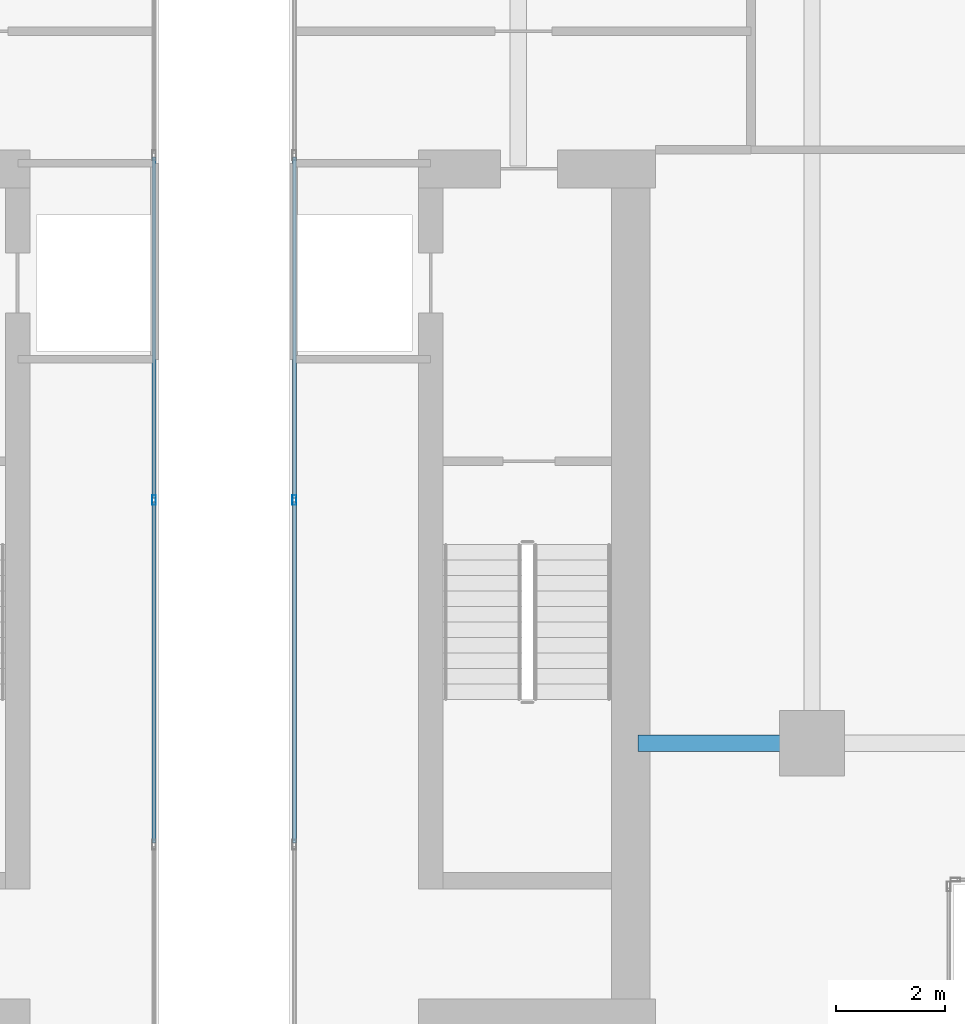
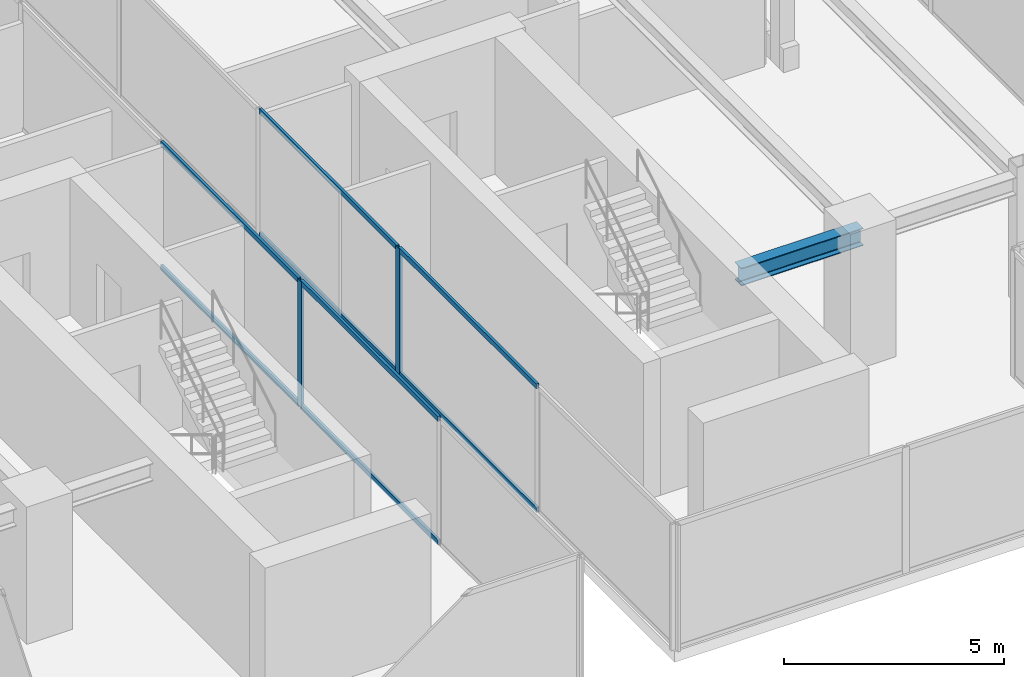
# One storey, part 6 of 25: 10 members, 1 beam, 2 elements without a shape of their own.
"""IFC4 building model written with IfcOpenShell, lengths in metres."""

from ifc_helpers import new_model, si_unit, direction, frame, origin, origin_2d, place, context, subcontext, project, spatial, hollow_rectangle, i_section, extrude, source, transform, mapped, material, material_profile, profile_set, type_object, type_shapes, element, aggregate, save


model = new_model("IFC4")

# Units and contexts
model_context = context("Model", 3, precision=1e-05, world=origin(), true_north=direction((0.0, 1.0)))
body_context = subcontext(model_context, "Body", "Model", "MODEL_VIEW")
ifc_project = project(units=[si_unit("LENGTHUNIT", "METRE"), si_unit("AREAUNIT", "SQUARE_METRE"), si_unit("VOLUMEUNIT", "CUBIC_METRE"), si_unit("PLANEANGLEUNIT", "RADIAN"), si_unit("MASSUNIT", "GRAM", prefix="KILO")], contexts=[model_context])

# Site, building, storey
site_placement = place(None, origin())
site = spatial("IfcSite", under=ifc_project, at=site_placement, CompositionType="ELEMENT")
building_placement = place(site_placement, origin())
building = spatial("IfcBuilding", under=site, at=building_placement, Name="Krantzveldt Concourse Tower", CompositionType="ELEMENT")
storey_placement = place(building_placement, frame((0.0, 0.0, 370.85009765625)))
storey = spatial("IfcBuildingStorey", under=building, at=storey_placement, Name="L91", CompositionType="ELEMENT", Elevation=370.85009765625)

# Beam
ifc_material_1 = material(Name="Steel S355JR", Category="steel")
ifc_material_profile_1 = material_profile(ifc_material_1, i_section(OverallWidth=0.300048828125, OverallDepth=0.489990234375, WebThickness=0.011962890625, FlangeThickness=0.02294921875, FilletRadius=0.027099609375, at=origin_2d()), Name="Steel S355JR", Category="steel")
ifc_profile_set_1 = profile_set([ifc_material_profile_1], Name="Steel S355JR - HEA 500")
beam_type = type_object("IfcBeamType", Name="BM-B-HEA500", PredefinedType="BEAM", material=ifc_profile_set_1)
shared_shape_1 = source(origin(), body_context, "Body", "SweptSolid", [
    extrude(i_section(OverallWidth=0.300048828125, OverallDepth=0.489990234375, WebThickness=0.011962890625, FlangeThickness=0.02294921875, FilletRadius=0.027099609375, at=origin_2d()), origin(), (0.0, 0.0, 1.0), 3.199951171875),
])
type_shapes(beam_type, [shared_shape_1])
beam_placement = place(storey_placement, frame((46.800048828125, 15.89990234375, 3.2548828125), z_axis=(-1.0, 0.0, 0.0), x_axis=(0.0, -1.0, 0.0)))
element("IfcBeam", 1, at=beam_placement, inside=storey, type_object=beam_type, Name="L91 Crown Girder EAST-7", PredefinedType="BEAM", context=body_context, shape_type="MappedRepresentation", body=[
    mapped(shared_shape_1, transform((0.0, 0.0, 0.0), x_axis=(1.0, 0.0, 0.0), y_axis=(0.0, 1.0, 0.0), z_axis=(0.0, 0.0, 1.0), scale=1.0)),
])

# Curtain wall, member
ifc_material_2 = material(Name="Anodised aluminium 6063-T6", Category="aluminium")
curtain_wall_type = type_object("IfcCurtainWallType", Name="CW7", PredefinedType="USERDEFINED", material=ifc_material_2)
curtain_wall_1_placement = place(storey_placement, origin())
curtain_wall_1 = element("IfcCurtainWall", 2, at=curtain_wall_1_placement, inside=storey, type_object=curtain_wall_type, Name="CW-L91-WEST-01", ObjectType="UNITISED CURTAIN WALL", PredefinedType="USERDEFINED")
ifc_material_profile_2 = material_profile(ifc_material_2, hollow_rectangle(XDim=0.070068359375, YDim=0.179931640625, WallThickness=0.0048828125, at=origin_2d()), Name="Anodised aluminium 6063-T6", Category="aluminium")
ifc_profile_set_2 = profile_set([ifc_material_profile_2], Name="Anodised aluminium 6063-T6 - ALU-MULL 180x70x5")
member_type_1 = type_object("IfcMemberType", Name="CW-MUL-180", PredefinedType="MULLION", material=ifc_profile_set_2)
shared_shape_2 = source(origin(), body_context, "Body", "SweptSolid", [
    extrude(hollow_rectangle(XDim=0.070068359375, YDim=0.179931640625, WallThickness=0.0048828125, at=origin_2d()), origin(), (0.0, 0.0, 1.0), 3.5),
])
type_shapes(member_type_1, [shared_shape_2])
member_1_placement = place(storey_placement, frame((34.7099609375, 20.36669921875, 0.0), z_axis=(0.0, 0.0, 1.0), x_axis=(-1.0, 0.0, 0.0)))
member_1 = element("IfcMember", 3, at=member_1_placement, type_object=member_type_1, Name="CW-CRN mullion 3", PredefinedType="MULLION", context=body_context, shape_type="MappedRepresentation", body=[
    mapped(shared_shape_2, transform((0.0, 0.0, 0.0), x_axis=(1.0, 0.0, 0.0), y_axis=(0.0, 1.0, 0.0), z_axis=(0.0, 0.0, 1.0), scale=1.0)),
])

curtain_wall_2_placement = place(storey_placement, origin())
curtain_wall_2 = element("IfcCurtainWall", 4, at=curtain_wall_2_placement, inside=storey, type_object=curtain_wall_type, Name="CW-L91-EAST-07", ObjectType="UNITISED CURTAIN WALL", PredefinedType="USERDEFINED")
member_2_placement = place(storey_placement, frame((37.2900390625, 20.36669921875, 0.0), z_axis=(0.0, 0.0, 1.0), x_axis=(1.0, 0.0, 0.0)))
member_2 = element("IfcMember", 5, at=member_2_placement, type_object=member_type_1, Name="CW-CRN mullion 5", PredefinedType="MULLION", context=body_context, shape_type="MappedRepresentation", body=[
    mapped(shared_shape_2, transform((0.0, 0.0, 0.0), x_axis=(1.0, 0.0, 0.0), y_axis=(0.0, 1.0, 0.0), z_axis=(0.0, 0.0, 1.0), scale=1.0)),
])

# Member
ifc_material_profile_3 = material_profile(ifc_material_2, hollow_rectangle(XDim=0.070068359375, YDim=0.139892578125, WallThickness=0.0048828125, at=origin_2d()), Name="Anodised aluminium 6063-T6", Category="aluminium")
ifc_profile_set_3 = profile_set([ifc_material_profile_3], Name="Anodised aluminium 6063-T6 - ALU-TRAN 140x70x5")
member_type_2 = type_object("IfcMemberType", Name="CW-TRN-150", PredefinedType="USERDEFINED", material=ifc_profile_set_3)
shared_shape_3 = source(origin(), body_context, "Body", "SweptSolid", [
    extrude(hollow_rectangle(XDim=0.070068359375, YDim=0.139892578125, WallThickness=0.0048828125, at=origin_2d()), origin(), (0.0, 0.0, 1.0), 6.263427734375),
])
type_shapes(member_type_2, [shared_shape_3])
member_3_placement = place(storey_placement, frame((34.7099609375, 14.068359375, 0.034912109375), z_axis=(0.0, 1.0, 0.0), x_axis=(-1.0, 0.0, 0.0)))
member_3 = element("IfcMember", 6, at=member_3_placement, type_object=member_type_2, Name="CW-CRN transom 2.1", ObjectType="TRANSOM", PredefinedType="USERDEFINED", context=body_context, shape_type="MappedRepresentation", body=[
    mapped(shared_shape_3, transform((0.0, 0.0, 0.0), x_axis=(1.0, 0.0, 0.0), y_axis=(0.0, 1.0, 0.0), z_axis=(0.0, 0.0, 1.0), scale=1.0)),
])

member_4_placement = place(storey_placement, frame((34.7099609375, 14.068359375, 3.46484375), z_axis=(0.0, 1.0, 0.0), x_axis=(-1.0, 0.0, 0.0)))
member_4 = element("IfcMember", 7, at=member_4_placement, type_object=member_type_2, Name="CW-CRN transom 2.2", ObjectType="TRANSOM", PredefinedType="USERDEFINED", context=body_context, shape_type="MappedRepresentation", body=[
    mapped(shared_shape_3, transform((0.0, 0.0, 0.0), x_axis=(1.0, 0.0, 0.0), y_axis=(0.0, 1.0, 0.0), z_axis=(0.0, 0.0, 1.0), scale=1.0)),
])

member_5_placement = place(storey_placement, frame((34.7099609375, 20.401611328125, 0.034912109375), z_axis=(0.0, 1.0, 0.0), x_axis=(-1.0, 0.0, 0.0)))
member_5 = element("IfcMember", 8, at=member_5_placement, type_object=member_type_2, Name="CW-CRN transom 3.1", ObjectType="TRANSOM", PredefinedType="USERDEFINED", context=body_context, shape_type="MappedRepresentation", body=[
    mapped(shared_shape_3, transform((0.0, 0.0, 0.0), x_axis=(1.0, 0.0, 0.0), y_axis=(0.0, 1.0, 0.0), z_axis=(0.0, 0.0, 1.0), scale=1.0)),
])

member_6_placement = place(storey_placement, frame((34.7099609375, 20.401611328125, 3.46484375), z_axis=(0.0, 1.0, 0.0), x_axis=(-1.0, 0.0, 0.0)))
member_6 = element("IfcMember", 9, at=member_6_placement, type_object=member_type_2, Name="CW-CRN transom 3.2", ObjectType="TRANSOM", PredefinedType="USERDEFINED", context=body_context, shape_type="MappedRepresentation", body=[
    mapped(shared_shape_3, transform((0.0, 0.0, 0.0), x_axis=(1.0, 0.0, 0.0), y_axis=(0.0, 1.0, 0.0), z_axis=(0.0, 0.0, 1.0), scale=1.0)),
])

aggregate(curtain_wall_1, [member_1, member_3, member_4, member_5, member_6])

member_7_placement = place(storey_placement, frame((37.2900390625, 26.6650390625, 0.034912109375), z_axis=(0.0, -1.0, 0.0), x_axis=(1.0, 0.0, 0.0)))
member_7 = element("IfcMember", 10, at=member_7_placement, type_object=member_type_2, Name="CW-CRN transom 4.1", ObjectType="TRANSOM", PredefinedType="USERDEFINED", context=body_context, shape_type="MappedRepresentation", body=[
    mapped(shared_shape_3, transform((0.0, 0.0, 0.0), x_axis=(1.0, 0.0, 0.0), y_axis=(0.0, 1.0, 0.0), z_axis=(0.0, 0.0, 1.0), scale=1.0)),
])

member_8_placement = place(storey_placement, frame((37.2900390625, 26.6650390625, 3.46484375), z_axis=(0.0, -1.0, 0.0), x_axis=(1.0, 0.0, 0.0)))
member_8 = element("IfcMember", 11, at=member_8_placement, type_object=member_type_2, Name="CW-CRN transom 4.2", ObjectType="TRANSOM", PredefinedType="USERDEFINED", context=body_context, shape_type="MappedRepresentation", body=[
    mapped(shared_shape_3, transform((0.0, 0.0, 0.0), x_axis=(1.0, 0.0, 0.0), y_axis=(0.0, 1.0, 0.0), z_axis=(0.0, 0.0, 1.0), scale=1.0)),
])

member_9_placement = place(storey_placement, frame((37.2900390625, 20.331787109375, 0.034912109375), z_axis=(0.0, -1.0, 0.0), x_axis=(1.0, 0.0, 0.0)))
member_9 = element("IfcMember", 12, at=member_9_placement, type_object=member_type_2, Name="CW-CRN transom 5.1", ObjectType="TRANSOM", PredefinedType="USERDEFINED", context=body_context, shape_type="MappedRepresentation", body=[
    mapped(shared_shape_3, transform((0.0, 0.0, 0.0), x_axis=(1.0, 0.0, 0.0), y_axis=(0.0, 1.0, 0.0), z_axis=(0.0, 0.0, 1.0), scale=1.0)),
])

member_10_placement = place(storey_placement, frame((37.2900390625, 20.331787109375, 3.46484375), z_axis=(0.0, -1.0, 0.0), x_axis=(1.0, 0.0, 0.0)))
member_10 = element("IfcMember", 13, at=member_10_placement, type_object=member_type_2, Name="CW-CRN transom 5.2", ObjectType="TRANSOM", PredefinedType="USERDEFINED", context=body_context, shape_type="MappedRepresentation", body=[
    mapped(shared_shape_3, transform((0.0, 0.0, 0.0), x_axis=(1.0, 0.0, 0.0), y_axis=(0.0, 1.0, 0.0), z_axis=(0.0, 0.0, 1.0), scale=1.0)),
])

aggregate(curtain_wall_2, [member_2, member_7, member_8, member_9, member_10])

save(model, "model.ifc")
